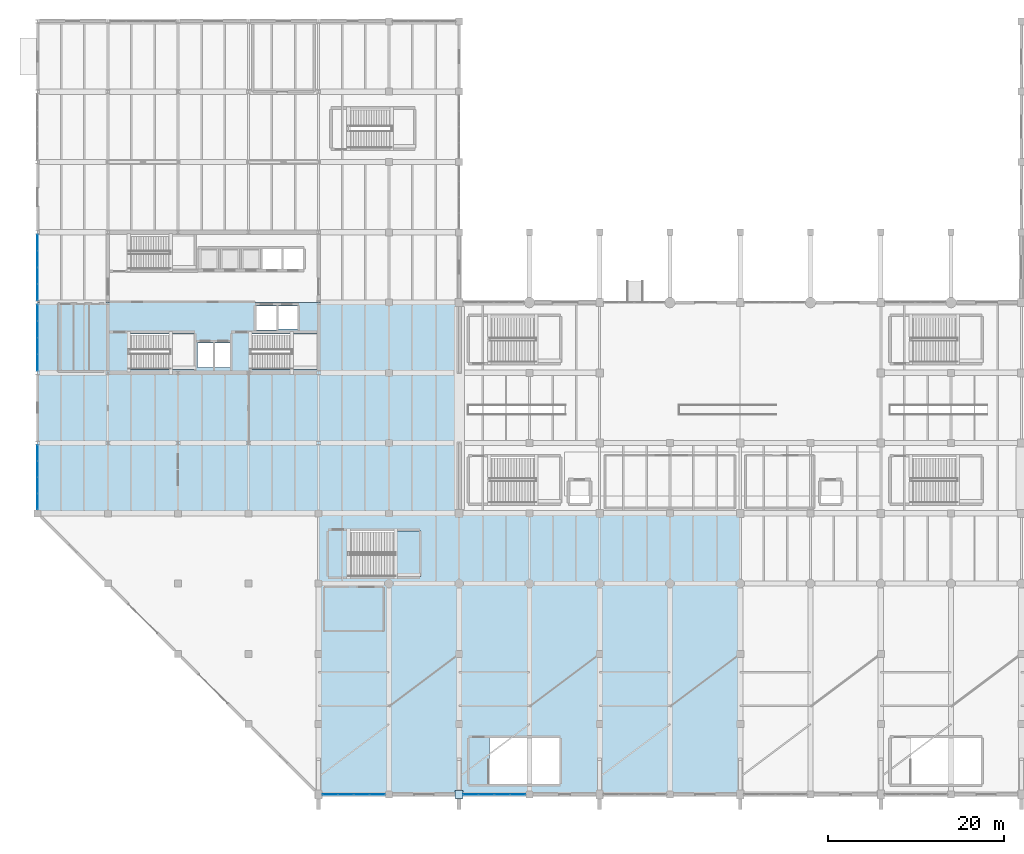
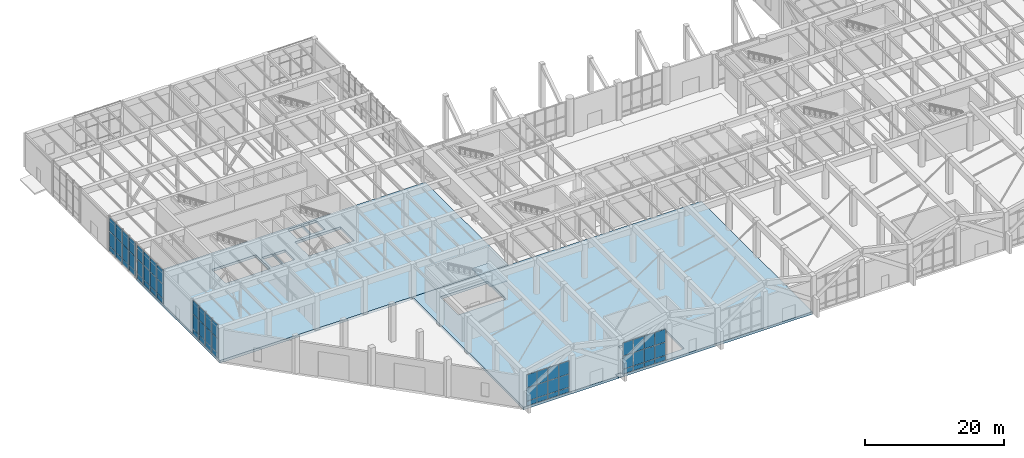
# One storey, part 26 of 51: 61 plates, 3 slabs, 6 elements without a shape of their own.
"""IFC4 building model written with IfcOpenShell, lengths in metres."""

from ifc_helpers import new_model, si_unit, direction, frame, origin, origin_2d, place, context, subcontext, project, spatial, polyline, rectangle, outline, extrude, material, layer, layer_set, type_object, element, aggregate, save


model = new_model("IFC4")

# Units and contexts
model_context = context("Model", 3, precision=1e-05, world=origin(), true_north=direction((0.0, 1.0)))
body_context = subcontext(model_context, "Body", "Model", "MODEL_VIEW")
ifc_project = project(units=[si_unit("LENGTHUNIT", "METRE"), si_unit("AREAUNIT", "SQUARE_METRE"), si_unit("VOLUMEUNIT", "CUBIC_METRE"), si_unit("PLANEANGLEUNIT", "RADIAN"), si_unit("MASSUNIT", "GRAM", prefix="KILO")], contexts=[model_context])

# Site, building, storey
site_placement = place(None, origin())
site = spatial("IfcSite", under=ifc_project, at=site_placement, CompositionType="ELEMENT")
building_placement = place(site_placement, origin())
building = spatial("IfcBuilding", under=site, at=building_placement, Name="Varnela Railside Interchange", CompositionType="ELEMENT")
storey_placement = place(building_placement, origin())
storey = spatial("IfcBuildingStorey", under=building, at=storey_placement, Name="L00", CompositionType="ELEMENT", Elevation=0.0)

# Curtain wall, plates
ifc_material_1 = material(Name="Aluminium 6063-T6", Category="aluminium")
ifc_layer_1 = layer(ifc_material_1, 0.035888671875)
ifc_layer_set_1 = layer_set([ifc_layer_1], Name="Aluminium 6063-T6")
curtain_wall_type_1 = type_object("IfcCurtainWallType", Name="Operations Wing Facade Curtain Wall CW-03", PredefinedType="USERDEFINED", material=ifc_layer_set_1)
curtain_wall_1_placement = place(storey_placement, origin())
curtain_wall_1 = element("IfcCurtainWall", 1, at=curtain_wall_1_placement, inside=storey, type_object=curtain_wall_type_1, Name="Curtain Wall CW-03 (L00) (CW-010)", ObjectType="CURTAIN WALL", PredefinedType="USERDEFINED")
ifc_material_2 = material(Name="Glass laminated double", Category="glass")
ifc_layer_2 = layer(ifc_material_2, 0.0400390625)
ifc_layer_set_2 = layer_set([ifc_layer_2], Name="Glass laminated double")
plate_type_1 = type_object("IfcPlateType", Name="Acoustic Laminated Vision GL-03", PredefinedType="CURTAIN_PANEL", material=ifc_layer_set_2)
plate_1_placement = place(storey_placement, frame((4.0, 39.340087890625, 0.06005859375), z_axis=(0.0, 0.0, 1.0), x_axis=(0.0, 1.0, 0.0)))
plate_1 = element("IfcPlate", 2, at=plate_1_placement, type_object=plate_type_1, Name="CW-03 panel 1.1", PredefinedType="CURTAIN_PANEL", context=body_context, shape_type="SweptSolid", body=[
    extrude(rectangle(XDim=1.760009765625, YDim=0.0400390625, at=origin_2d()), origin(), (0.0, 0.0, 1.0), 0.81005859375),
])
plate_2_placement = place(storey_placement, frame((4.0, 39.340087890625, 0.93017578125), z_axis=(0.0, 0.0, 1.0), x_axis=(0.0, 1.0, 0.0)))
plate_2 = element("IfcPlate", 3, at=plate_2_placement, type_object=plate_type_1, Name="CW-03 panel 1.2", PredefinedType="CURTAIN_PANEL", context=body_context, shape_type="SweptSolid", body=[
    extrude(rectangle(XDim=1.760009765625, YDim=0.0400390625, at=origin_2d()), origin(), (0.0, 0.0, 1.0), 2.531494140625),
])
plate_3_placement = place(storey_placement, frame((4.0, 39.340087890625, 3.521484375), z_axis=(0.0, 0.0, 1.0), x_axis=(0.0, 1.0, 0.0)))
plate_3 = element("IfcPlate", 4, at=plate_3_placement, type_object=plate_type_1, Name="CW-03 panel 1.3", PredefinedType="CURTAIN_PANEL", context=body_context, shape_type="SweptSolid", body=[
    extrude(rectangle(XDim=1.760009765625, YDim=0.0400390625, at=origin_2d()), origin(), (0.0, 0.0, 1.0), 2.4384765625),
])
plate_4_placement = place(storey_placement, frame((4.0, 41.17529296875, 0.06005859375), z_axis=(0.0, 0.0, 1.0), x_axis=(0.0, 1.0, 0.0)))
plate_4 = element("IfcPlate", 5, at=plate_4_placement, type_object=plate_type_1, Name="CW-03 panel 2.1", PredefinedType="CURTAIN_PANEL", context=body_context, shape_type="SweptSolid", body=[
    extrude(rectangle(XDim=1.7900390625, YDim=0.0400390625, at=origin_2d()), origin(), (0.0, 0.0, 1.0), 0.81005859375),
])
plate_5_placement = place(storey_placement, frame((4.0, 41.17529296875, 0.93017578125), z_axis=(0.0, 0.0, 1.0), x_axis=(0.0, 1.0, 0.0)))
plate_5 = element("IfcPlate", 6, at=plate_5_placement, type_object=plate_type_1, Name="CW-03 panel 2.2", PredefinedType="CURTAIN_PANEL", context=body_context, shape_type="SweptSolid", body=[
    extrude(rectangle(XDim=1.7900390625, YDim=0.0400390625, at=origin_2d()), origin(), (0.0, 0.0, 1.0), 2.531494140625),
])
plate_6_placement = place(storey_placement, frame((4.0, 41.17529296875, 3.521484375), z_axis=(0.0, 0.0, 1.0), x_axis=(0.0, 1.0, 0.0)))
plate_6 = element("IfcPlate", 7, at=plate_6_placement, type_object=plate_type_1, Name="CW-03 panel 2.3", PredefinedType="CURTAIN_PANEL", context=body_context, shape_type="SweptSolid", body=[
    extrude(rectangle(XDim=1.7900390625, YDim=0.0400390625, at=origin_2d()), origin(), (0.0, 0.0, 1.0), 2.4384765625),
])
plate_7_placement = place(storey_placement, frame((4.0, 43.025390625, 0.06005859375), z_axis=(0.0, 0.0, 1.0), x_axis=(0.0, 1.0, 0.0)))
plate_7 = element("IfcPlate", 8, at=plate_7_placement, type_object=plate_type_1, Name="CW-03 panel 3.1", PredefinedType="CURTAIN_PANEL", context=body_context, shape_type="SweptSolid", body=[
    extrude(rectangle(XDim=1.7900390625, YDim=0.0400390625, at=origin_2d()), origin(), (0.0, 0.0, 1.0), 0.81005859375),
])
plate_8_placement = place(storey_placement, frame((4.0, 43.025390625, 0.93017578125), z_axis=(0.0, 0.0, 1.0), x_axis=(0.0, 1.0, 0.0)))
plate_8 = element("IfcPlate", 9, at=plate_8_placement, type_object=plate_type_1, Name="CW-03 panel 3.2", PredefinedType="CURTAIN_PANEL", context=body_context, shape_type="SweptSolid", body=[
    extrude(rectangle(XDim=1.7900390625, YDim=0.0400390625, at=origin_2d()), origin(), (0.0, 0.0, 1.0), 2.531494140625),
])
plate_9_placement = place(storey_placement, frame((4.0, 43.025390625, 3.521484375), z_axis=(0.0, 0.0, 1.0), x_axis=(0.0, 1.0, 0.0)))
plate_9 = element("IfcPlate", 10, at=plate_9_placement, type_object=plate_type_1, Name="CW-03 panel 3.3", PredefinedType="CURTAIN_PANEL", context=body_context, shape_type="SweptSolid", body=[
    extrude(rectangle(XDim=1.7900390625, YDim=0.0400390625, at=origin_2d()), origin(), (0.0, 0.0, 1.0), 2.4384765625),
])
plate_10_placement = place(storey_placement, frame((4.0, 44.8603515625, 0.06005859375), z_axis=(0.0, 0.0, 1.0), x_axis=(0.0, 1.0, 0.0)))
plate_10 = element("IfcPlate", 11, at=plate_10_placement, type_object=plate_type_1, Name="CW-03 panel 4.1", PredefinedType="CURTAIN_PANEL", context=body_context, shape_type="SweptSolid", body=[
    extrude(rectangle(XDim=1.760009765625, YDim=0.0400390625, at=origin_2d()), origin(), (0.0, 0.0, 1.0), 0.81005859375),
])
plate_11_placement = place(storey_placement, frame((4.0, 44.8603515625, 0.93017578125), z_axis=(0.0, 0.0, 1.0), x_axis=(0.0, 1.0, 0.0)))
plate_11 = element("IfcPlate", 12, at=plate_11_placement, type_object=plate_type_1, Name="CW-03 panel 4.2", PredefinedType="CURTAIN_PANEL", context=body_context, shape_type="SweptSolid", body=[
    extrude(rectangle(XDim=1.760009765625, YDim=0.0400390625, at=origin_2d()), origin(), (0.0, 0.0, 1.0), 2.531494140625),
])
plate_12_placement = place(storey_placement, frame((4.0, 44.8603515625, 3.521484375), z_axis=(0.0, 0.0, 1.0), x_axis=(0.0, 1.0, 0.0)))
plate_12 = element("IfcPlate", 13, at=plate_12_placement, type_object=plate_type_1, Name="CW-03 panel 4.3", PredefinedType="CURTAIN_PANEL", context=body_context, shape_type="SweptSolid", body=[
    extrude(rectangle(XDim=1.760009765625, YDim=0.0400390625, at=origin_2d()), origin(), (0.0, 0.0, 1.0), 2.4384765625),
])
aggregate(curtain_wall_1, [plate_1, plate_2, plate_3, plate_4, plate_5, plate_6, plate_7, plate_8, plate_9, plate_10, plate_11, plate_12])

curtain_wall_2_placement = place(storey_placement, origin())
curtain_wall_2 = element("IfcCurtainWall", 14, at=curtain_wall_2_placement, inside=storey, type_object=curtain_wall_type_1, Name="Curtain Wall CW-03 (L00) (CW-017)", ObjectType="CURTAIN WALL", PredefinedType="USERDEFINED")
plate_13_placement = place(storey_placement, frame((4.0, 55.16455078125, 0.06005859375), z_axis=(0.0, 0.0, 1.0), x_axis=(0.0, 1.0, 0.0)))
plate_13 = element("IfcPlate", 15, at=plate_13_placement, type_object=plate_type_1, Name="CW-03 panel 1.1", PredefinedType="CURTAIN_PANEL", context=body_context, shape_type="SweptSolid", body=[
    extrude(rectangle(XDim=1.810302734375, YDim=0.0400390625, at=origin_2d()), origin(), (0.0, 0.0, 1.0), 0.81005859375),
])
plate_14_placement = place(storey_placement, frame((4.0, 55.16455078125, 0.93017578125), z_axis=(0.0, 0.0, 1.0), x_axis=(0.0, 1.0, 0.0)))
plate_14 = element("IfcPlate", 16, at=plate_14_placement, type_object=plate_type_1, Name="CW-03 panel 1.2", PredefinedType="CURTAIN_PANEL", context=body_context, shape_type="SweptSolid", body=[
    extrude(rectangle(XDim=1.810302734375, YDim=0.0400390625, at=origin_2d()), origin(), (0.0, 0.0, 1.0), 2.531494140625),
])
plate_15_placement = place(storey_placement, frame((4.0, 55.16455078125, 3.521484375), z_axis=(0.0, 0.0, 1.0), x_axis=(0.0, 1.0, 0.0)))
plate_15 = element("IfcPlate", 17, at=plate_15_placement, type_object=plate_type_1, Name="CW-03 panel 1.3", PredefinedType="CURTAIN_PANEL", context=body_context, shape_type="SweptSolid", body=[
    extrude(rectangle(XDim=1.810302734375, YDim=0.0400390625, at=origin_2d()), origin(), (0.0, 0.0, 1.0), 2.4384765625),
])
plate_16_placement = place(storey_placement, frame((4.0, 57.0498046875, 0.06005859375), z_axis=(0.0, 0.0, 1.0), x_axis=(0.0, 1.0, 0.0)))
plate_16 = element("IfcPlate", 18, at=plate_16_placement, type_object=plate_type_1, Name="CW-03 panel 2.1", PredefinedType="CURTAIN_PANEL", context=body_context, shape_type="SweptSolid", body=[
    extrude(rectangle(XDim=1.84033203125, YDim=0.0400390625, at=origin_2d()), origin(), (0.0, 0.0, 1.0), 0.81005859375),
])
plate_17_placement = place(storey_placement, frame((4.0, 57.0498046875, 0.93017578125), z_axis=(0.0, 0.0, 1.0), x_axis=(0.0, 1.0, 0.0)))
plate_17 = element("IfcPlate", 19, at=plate_17_placement, type_object=plate_type_1, Name="CW-03 panel 2.2", PredefinedType="CURTAIN_PANEL", context=body_context, shape_type="SweptSolid", body=[
    extrude(rectangle(XDim=1.84033203125, YDim=0.0400390625, at=origin_2d()), origin(), (0.0, 0.0, 1.0), 2.531494140625),
])
plate_18_placement = place(storey_placement, frame((4.0, 57.0498046875, 3.521484375), z_axis=(0.0, 0.0, 1.0), x_axis=(0.0, 1.0, 0.0)))
plate_18 = element("IfcPlate", 20, at=plate_18_placement, type_object=plate_type_1, Name="CW-03 panel 2.3", PredefinedType="CURTAIN_PANEL", context=body_context, shape_type="SweptSolid", body=[
    extrude(rectangle(XDim=1.84033203125, YDim=0.0400390625, at=origin_2d()), origin(), (0.0, 0.0, 1.0), 2.4384765625),
])
plate_19_placement = place(storey_placement, frame((4.0, 58.9501953125, 0.06005859375), z_axis=(0.0, 0.0, 1.0), x_axis=(0.0, 1.0, 0.0)))
plate_19 = element("IfcPlate", 21, at=plate_19_placement, type_object=plate_type_1, Name="CW-03 panel 3.1", PredefinedType="CURTAIN_PANEL", context=body_context, shape_type="SweptSolid", body=[
    extrude(rectangle(XDim=1.84033203125, YDim=0.0400390625, at=origin_2d()), origin(), (0.0, 0.0, 1.0), 0.81005859375),
])
plate_20_placement = place(storey_placement, frame((4.0, 58.9501953125, 0.93017578125), z_axis=(0.0, 0.0, 1.0), x_axis=(0.0, 1.0, 0.0)))
plate_20 = element("IfcPlate", 22, at=plate_20_placement, type_object=plate_type_1, Name="CW-03 panel 3.2", PredefinedType="CURTAIN_PANEL", context=body_context, shape_type="SweptSolid", body=[
    extrude(rectangle(XDim=1.84033203125, YDim=0.0400390625, at=origin_2d()), origin(), (0.0, 0.0, 1.0), 2.531494140625),
])
plate_21_placement = place(storey_placement, frame((4.0, 58.9501953125, 3.521484375), z_axis=(0.0, 0.0, 1.0), x_axis=(0.0, 1.0, 0.0)))
plate_21 = element("IfcPlate", 23, at=plate_21_placement, type_object=plate_type_1, Name="CW-03 panel 3.3", PredefinedType="CURTAIN_PANEL", context=body_context, shape_type="SweptSolid", body=[
    extrude(rectangle(XDim=1.84033203125, YDim=0.0400390625, at=origin_2d()), origin(), (0.0, 0.0, 1.0), 2.4384765625),
])
plate_22_placement = place(storey_placement, frame((4.0, 60.83544921875, 0.06005859375), z_axis=(0.0, 0.0, 1.0), x_axis=(0.0, 1.0, 0.0)))
plate_22 = element("IfcPlate", 24, at=plate_22_placement, type_object=plate_type_1, Name="CW-03 panel 4.1", PredefinedType="CURTAIN_PANEL", context=body_context, shape_type="SweptSolid", body=[
    extrude(rectangle(XDim=1.810302734375, YDim=0.0400390625, at=origin_2d()), origin(), (0.0, 0.0, 1.0), 0.81005859375),
])
plate_23_placement = place(storey_placement, frame((4.0, 60.83544921875, 0.93017578125), z_axis=(0.0, 0.0, 1.0), x_axis=(0.0, 1.0, 0.0)))
plate_23 = element("IfcPlate", 25, at=plate_23_placement, type_object=plate_type_1, Name="CW-03 panel 4.2", PredefinedType="CURTAIN_PANEL", context=body_context, shape_type="SweptSolid", body=[
    extrude(rectangle(XDim=1.810302734375, YDim=0.0400390625, at=origin_2d()), origin(), (0.0, 0.0, 1.0), 2.531494140625),
])
plate_24_placement = place(storey_placement, frame((4.0, 60.83544921875, 3.521484375), z_axis=(0.0, 0.0, 1.0), x_axis=(0.0, 1.0, 0.0)))
plate_24 = element("IfcPlate", 26, at=plate_24_placement, type_object=plate_type_1, Name="CW-03 panel 4.3", PredefinedType="CURTAIN_PANEL", context=body_context, shape_type="SweptSolid", body=[
    extrude(rectangle(XDim=1.810302734375, YDim=0.0400390625, at=origin_2d()), origin(), (0.0, 0.0, 1.0), 2.4384765625),
])
aggregate(curtain_wall_2, [plate_13, plate_14, plate_15, plate_16, plate_17, plate_18, plate_19, plate_20, plate_21, plate_22, plate_23, plate_24])

curtain_wall_3_placement = place(storey_placement, origin())
curtain_wall_3 = element("IfcCurtainWall", 27, at=curtain_wall_3_placement, inside=storey, type_object=curtain_wall_type_1, Name="Curtain Wall CW-03 (L00) (CW-018)", ObjectType="CURTAIN WALL", PredefinedType="USERDEFINED")
plate_25_placement = place(storey_placement, frame((4.0, 63.16455078125, 0.06005859375), z_axis=(0.0, 0.0, 1.0), x_axis=(0.0, 1.0, 0.0)))
plate_25 = element("IfcPlate", 28, at=plate_25_placement, type_object=plate_type_1, Name="CW-03 panel 1.1", PredefinedType="CURTAIN_PANEL", context=body_context, shape_type="SweptSolid", body=[
    extrude(rectangle(XDim=1.810302734375, YDim=0.0400390625, at=origin_2d()), origin(), (0.0, 0.0, 1.0), 0.81005859375),
])
plate_26_placement = place(storey_placement, frame((4.0, 63.16455078125, 0.93017578125), z_axis=(0.0, 0.0, 1.0), x_axis=(0.0, 1.0, 0.0)))
plate_26 = element("IfcPlate", 29, at=plate_26_placement, type_object=plate_type_1, Name="CW-03 panel 1.2", PredefinedType="CURTAIN_PANEL", context=body_context, shape_type="SweptSolid", body=[
    extrude(rectangle(XDim=1.810302734375, YDim=0.0400390625, at=origin_2d()), origin(), (0.0, 0.0, 1.0), 2.531494140625),
])
plate_27_placement = place(storey_placement, frame((4.0, 63.16455078125, 3.521484375), z_axis=(0.0, 0.0, 1.0), x_axis=(0.0, 1.0, 0.0)))
plate_27 = element("IfcPlate", 30, at=plate_27_placement, type_object=plate_type_1, Name="CW-03 panel 1.3", PredefinedType="CURTAIN_PANEL", context=body_context, shape_type="SweptSolid", body=[
    extrude(rectangle(XDim=1.810302734375, YDim=0.0400390625, at=origin_2d()), origin(), (0.0, 0.0, 1.0), 2.4384765625),
])
plate_28_placement = place(storey_placement, frame((4.0, 65.0498046875, 0.06005859375), z_axis=(0.0, 0.0, 1.0), x_axis=(0.0, 1.0, 0.0)))
plate_28 = element("IfcPlate", 31, at=plate_28_placement, type_object=plate_type_1, Name="CW-03 panel 2.1", PredefinedType="CURTAIN_PANEL", context=body_context, shape_type="SweptSolid", body=[
    extrude(rectangle(XDim=1.84033203125, YDim=0.0400390625, at=origin_2d()), origin(), (0.0, 0.0, 1.0), 0.81005859375),
])
plate_29_placement = place(storey_placement, frame((4.0, 65.0498046875, 0.93017578125), z_axis=(0.0, 0.0, 1.0), x_axis=(0.0, 1.0, 0.0)))
plate_29 = element("IfcPlate", 32, at=plate_29_placement, type_object=plate_type_1, Name="CW-03 panel 2.2", PredefinedType="CURTAIN_PANEL", context=body_context, shape_type="SweptSolid", body=[
    extrude(rectangle(XDim=1.84033203125, YDim=0.0400390625, at=origin_2d()), origin(), (0.0, 0.0, 1.0), 2.531494140625),
])
plate_30_placement = place(storey_placement, frame((4.0, 65.0498046875, 3.521484375), z_axis=(0.0, 0.0, 1.0), x_axis=(0.0, 1.0, 0.0)))
plate_30 = element("IfcPlate", 33, at=plate_30_placement, type_object=plate_type_1, Name="CW-03 panel 2.3", PredefinedType="CURTAIN_PANEL", context=body_context, shape_type="SweptSolid", body=[
    extrude(rectangle(XDim=1.84033203125, YDim=0.0400390625, at=origin_2d()), origin(), (0.0, 0.0, 1.0), 2.4384765625),
])
plate_31_placement = place(storey_placement, frame((4.0, 66.9501953125, 0.06005859375), z_axis=(0.0, 0.0, 1.0), x_axis=(0.0, 1.0, 0.0)))
plate_31 = element("IfcPlate", 34, at=plate_31_placement, type_object=plate_type_1, Name="CW-03 panel 3.1", PredefinedType="CURTAIN_PANEL", context=body_context, shape_type="SweptSolid", body=[
    extrude(rectangle(XDim=1.84033203125, YDim=0.0400390625, at=origin_2d()), origin(), (0.0, 0.0, 1.0), 0.81005859375),
])
plate_32_placement = place(storey_placement, frame((4.0, 66.9501953125, 0.93017578125), z_axis=(0.0, 0.0, 1.0), x_axis=(0.0, 1.0, 0.0)))
plate_32 = element("IfcPlate", 35, at=plate_32_placement, type_object=plate_type_1, Name="CW-03 panel 3.2", PredefinedType="CURTAIN_PANEL", context=body_context, shape_type="SweptSolid", body=[
    extrude(rectangle(XDim=1.84033203125, YDim=0.0400390625, at=origin_2d()), origin(), (0.0, 0.0, 1.0), 2.531494140625),
])
plate_33_placement = place(storey_placement, frame((4.0, 66.9501953125, 3.521484375), z_axis=(0.0, 0.0, 1.0), x_axis=(0.0, 1.0, 0.0)))
plate_33 = element("IfcPlate", 36, at=plate_33_placement, type_object=plate_type_1, Name="CW-03 panel 3.3", PredefinedType="CURTAIN_PANEL", context=body_context, shape_type="SweptSolid", body=[
    extrude(rectangle(XDim=1.84033203125, YDim=0.0400390625, at=origin_2d()), origin(), (0.0, 0.0, 1.0), 2.4384765625),
])
plate_34_placement = place(storey_placement, frame((4.0, 68.83544921875, 0.06005859375), z_axis=(0.0, 0.0, 1.0), x_axis=(0.0, 1.0, 0.0)))
plate_34 = element("IfcPlate", 37, at=plate_34_placement, type_object=plate_type_1, Name="CW-03 panel 4.1", PredefinedType="CURTAIN_PANEL", context=body_context, shape_type="SweptSolid", body=[
    extrude(rectangle(XDim=1.810302734375, YDim=0.0400390625, at=origin_2d()), origin(), (0.0, 0.0, 1.0), 0.81005859375),
])
plate_35_placement = place(storey_placement, frame((4.0, 68.83544921875, 0.93017578125), z_axis=(0.0, 0.0, 1.0), x_axis=(0.0, 1.0, 0.0)))
plate_35 = element("IfcPlate", 38, at=plate_35_placement, type_object=plate_type_1, Name="CW-03 panel 4.2", PredefinedType="CURTAIN_PANEL", context=body_context, shape_type="SweptSolid", body=[
    extrude(rectangle(XDim=1.810302734375, YDim=0.0400390625, at=origin_2d()), origin(), (0.0, 0.0, 1.0), 2.531494140625),
])
plate_36_placement = place(storey_placement, frame((4.0, 68.83544921875, 3.521484375), z_axis=(0.0, 0.0, 1.0), x_axis=(0.0, 1.0, 0.0)))
plate_36 = element("IfcPlate", 39, at=plate_36_placement, type_object=plate_type_1, Name="CW-03 panel 4.3", PredefinedType="CURTAIN_PANEL", context=body_context, shape_type="SweptSolid", body=[
    extrude(rectangle(XDim=1.810302734375, YDim=0.0400390625, at=origin_2d()), origin(), (0.0, 0.0, 1.0), 2.4384765625),
])
aggregate(curtain_wall_3, [plate_25, plate_26, plate_27, plate_28, plate_29, plate_30, plate_31, plate_32, plate_33, plate_34, plate_35, plate_36])

# Slabs
ifc_material_3 = material(Name="Concrete C40", Category="concrete")
ifc_layer_3 = layer(ifc_material_3, 0.449951171875)
ifc_layer_set_3 = layer_set([ifc_layer_3], Name="Concrete C40")
slab_type_1 = type_object("IfcSlabType", Name="Bus & Interchange Deck Slab SL-L00", PredefinedType="FLOOR", material=ifc_layer_set_3)
slab_1_placement = place(storey_placement, frame((0.0, 0.0, -0.449951171875)))
element("IfcSlab", 40, at=slab_1_placement, inside=storey, type_object=slab_type_1, Name="Bus & Interchange Deck Slab SL-L00 (L00) (SL-0059)", PredefinedType="FLOOR", context=body_context, shape_type="SweptSolid", body=[
    extrude(outline(polyline([(36.0, 6.0), (84.0, 6.0), (84.0, 38.0), (36.0, 38.0), (36.0, 6.0)]), holes=[polyline([(39.429931640625, 30.800048828125), (47.39990234375, 30.800048828125), (47.39990234375, 36.0), (39.429931640625, 36.0), (39.429931640625, 30.800048828125)]), polyline([(55.429931640625, 7.199951171875), (63.39990234375, 7.199951171875), (63.39990234375, 12.39990234375), (55.429931640625, 12.39990234375), (55.429931640625, 7.199951171875)])]), origin(), (0.0, 0.0, 1.0), 0.449951171875),
])
slab_2_placement = place(storey_placement, frame((0.0, 0.0, -0.449951171875)))
element("IfcSlab", 41, at=slab_2_placement, inside=storey, type_object=slab_type_1, Name="Bus & Interchange Deck Slab SL-L00 (L00) (SL-0062)", PredefinedType="FLOOR", context=body_context, shape_type="SweptSolid", body=[
    extrude(outline(polyline([(4.0, 38.0), (52.0, 38.0), (52.0, 62.0), (4.0, 62.0), (4.0, 38.0)]), holes=[polyline([(14.429931640625, 54.39990234375), (21.800048828125, 54.39990234375), (21.800048828125, 58.39990234375), (14.429931640625, 58.39990234375), (14.429931640625, 54.39990234375)]), polyline([(28.22998046875, 54.39990234375), (35.800048828125, 54.39990234375), (35.800048828125, 58.39990234375), (28.22998046875, 58.39990234375), (28.22998046875, 54.39990234375)]), polyline([(22.199951171875, 54.60009765625), (24.0, 54.60009765625), (24.0, 57.39990234375), (22.199951171875, 57.39990234375), (22.199951171875, 54.60009765625)]), polyline([(24.199951171875, 54.60009765625), (26.0, 54.60009765625), (26.0, 57.39990234375), (24.199951171875, 57.39990234375), (24.199951171875, 54.60009765625)]), polyline([(31.39990234375, 59.0), (33.60009765625, 59.0), (33.60009765625, 61.60009765625), (31.39990234375, 61.60009765625), (31.39990234375, 59.0)]), polyline([(28.89990234375, 58.89990234375), (31.199951171875, 58.89990234375), (31.199951171875, 61.60009765625), (28.89990234375, 61.60009765625), (28.89990234375, 58.89990234375)])]), origin(), (0.0, 0.0, 1.0), 0.449951171875),
])

# Curtain wall, plates
ifc_layer_4 = layer(ifc_material_1, 0.035888671875)
ifc_layer_set_4 = layer_set([ifc_layer_4], Name="Aluminium 6063-T6")
curtain_wall_type_2 = type_object("IfcCurtainWallType", Name="Arrival Forecourt Portal Curtain Wall CW-04", PredefinedType="USERDEFINED", material=ifc_layer_set_4)
curtain_wall_4_placement = place(storey_placement, origin())
curtain_wall_4 = element("IfcCurtainWall", 42, at=curtain_wall_4_placement, inside=storey, type_object=curtain_wall_type_2, Name="Curtain Wall CW-04 (L00) (CW-015)", ObjectType="CURTAIN WALL", PredefinedType="USERDEFINED")
ifc_layer_5 = layer(ifc_material_2, 0.070068359375)
ifc_layer_set_5 = layer_set([ifc_layer_5], Name="Glass laminated double")
plate_type_2 = type_object("IfcPlateType", Name="Solar Control Spandrel Panel GL-02", PredefinedType="CURTAIN_PANEL", material=ifc_layer_set_5)
plate_37_placement = place(storey_placement, frame((58.68115234375, 6.0, 0.074951171875), z_axis=(0.0, 0.0, 1.0), x_axis=(-1.0, 0.0, 0.0)))
plate_37 = element("IfcPlate", 43, at=plate_37_placement, type_object=plate_type_2, Name="CW-04 panel 1.1", PredefinedType="CURTAIN_PANEL", context=body_context, shape_type="SweptSolid", body=[
    extrude(rectangle(XDim=1.6875, YDim=0.070068359375, at=origin_2d()), origin(), (0.0, 0.0, 1.0), 0.78759765625),
])
plate_38_placement = place(storey_placement, frame((58.68115234375, 6.0, 0.9375), z_axis=(0.0, 0.0, 1.0), x_axis=(-1.0, 0.0, 0.0)))
plate_38 = element("IfcPlate", 44, at=plate_38_placement, type_object=plate_type_2, Name="CW-04 panel 1.2", PredefinedType="CURTAIN_PANEL", context=body_context, shape_type="SweptSolid", body=[
    extrude(rectangle(XDim=1.6875, YDim=0.070068359375, at=origin_2d()), origin(), (0.0, 0.0, 1.0), 2.27294921875),
])
plate_39_placement = place(storey_placement, frame((58.68115234375, 6.0, 3.28564453125), z_axis=(0.0, 0.0, 1.0), x_axis=(-1.0, 0.0, 0.0)))
plate_39 = element("IfcPlate", 45, at=plate_39_placement, type_object=plate_type_2, Name="CW-04 panel 1.3", PredefinedType="CURTAIN_PANEL", context=body_context, shape_type="SweptSolid", body=[
    extrude(rectangle(XDim=1.6875, YDim=0.070068359375, at=origin_2d()), origin(), (0.0, 0.0, 1.0), 2.239501953125),
])
plate_40_placement = place(storey_placement, frame((56.89990234375, 6.0, 0.074951171875), z_axis=(0.0, 0.0, 1.0), x_axis=(-1.0, 0.0, 0.0)))
plate_40 = element("IfcPlate", 46, at=plate_40_placement, type_object=plate_type_2, Name="CW-04 panel 2.1", PredefinedType="CURTAIN_PANEL", context=body_context, shape_type="SweptSolid", body=[
    extrude(rectangle(XDim=1.72509765625, YDim=0.070068359375, at=origin_2d()), origin(), (0.0, 0.0, 1.0), 0.78759765625),
])
plate_41_placement = place(storey_placement, frame((56.89990234375, 6.0, 0.9375), z_axis=(0.0, 0.0, 1.0), x_axis=(-1.0, 0.0, 0.0)))
plate_41 = element("IfcPlate", 47, at=plate_41_placement, type_object=plate_type_2, Name="CW-04 panel 2.2", PredefinedType="CURTAIN_PANEL", context=body_context, shape_type="SweptSolid", body=[
    extrude(rectangle(XDim=1.72509765625, YDim=0.070068359375, at=origin_2d()), origin(), (0.0, 0.0, 1.0), 2.27294921875),
])
plate_42_placement = place(storey_placement, frame((56.89990234375, 6.0, 3.28564453125), z_axis=(0.0, 0.0, 1.0), x_axis=(-1.0, 0.0, 0.0)))
plate_42 = element("IfcPlate", 48, at=plate_42_placement, type_object=plate_type_2, Name="CW-04 panel 2.3", PredefinedType="CURTAIN_PANEL", context=body_context, shape_type="SweptSolid", body=[
    extrude(rectangle(XDim=1.72509765625, YDim=0.070068359375, at=origin_2d()), origin(), (0.0, 0.0, 1.0), 2.239501953125),
])
plate_43_placement = place(storey_placement, frame((55.10009765625, 6.0, 0.074951171875), z_axis=(0.0, 0.0, 1.0), x_axis=(-1.0, 0.0, 0.0)))
plate_43 = element("IfcPlate", 49, at=plate_43_placement, type_object=plate_type_2, Name="CW-04 panel 3.1", PredefinedType="CURTAIN_PANEL", context=body_context, shape_type="SweptSolid", body=[
    extrude(rectangle(XDim=1.72509765625, YDim=0.070068359375, at=origin_2d()), origin(), (0.0, 0.0, 1.0), 0.78759765625),
])
plate_44_placement = place(storey_placement, frame((55.10009765625, 6.0, 0.9375), z_axis=(0.0, 0.0, 1.0), x_axis=(-1.0, 0.0, 0.0)))
plate_44 = element("IfcPlate", 50, at=plate_44_placement, type_object=plate_type_2, Name="CW-04 panel 3.2", PredefinedType="CURTAIN_PANEL", context=body_context, shape_type="SweptSolid", body=[
    extrude(rectangle(XDim=1.72509765625, YDim=0.070068359375, at=origin_2d()), origin(), (0.0, 0.0, 1.0), 2.27294921875),
])
plate_45_placement = place(storey_placement, frame((55.10009765625, 6.0, 3.28564453125), z_axis=(0.0, 0.0, 1.0), x_axis=(-1.0, 0.0, 0.0)))
plate_45 = element("IfcPlate", 51, at=plate_45_placement, type_object=plate_type_2, Name="CW-04 panel 3.3", PredefinedType="CURTAIN_PANEL", context=body_context, shape_type="SweptSolid", body=[
    extrude(rectangle(XDim=1.72509765625, YDim=0.070068359375, at=origin_2d()), origin(), (0.0, 0.0, 1.0), 2.239501953125),
])
plate_46_placement = place(storey_placement, frame((53.31884765625, 6.0, 0.074951171875), z_axis=(0.0, 0.0, 1.0), x_axis=(-1.0, 0.0, 0.0)))
plate_46 = element("IfcPlate", 52, at=plate_46_placement, type_object=plate_type_2, Name="CW-04 panel 4.1", PredefinedType="CURTAIN_PANEL", context=body_context, shape_type="SweptSolid", body=[
    extrude(rectangle(XDim=1.6875, YDim=0.070068359375, at=origin_2d()), origin(), (0.0, 0.0, 1.0), 0.78759765625),
])
plate_47_placement = place(storey_placement, frame((53.31884765625, 6.0, 0.9375), z_axis=(0.0, 0.0, 1.0), x_axis=(-1.0, 0.0, 0.0)))
plate_47 = element("IfcPlate", 53, at=plate_47_placement, type_object=plate_type_2, Name="CW-04 panel 4.2", PredefinedType="CURTAIN_PANEL", context=body_context, shape_type="SweptSolid", body=[
    extrude(rectangle(XDim=1.6875, YDim=0.070068359375, at=origin_2d()), origin(), (0.0, 0.0, 1.0), 2.27294921875),
])
plate_48_placement = place(storey_placement, frame((53.31884765625, 6.0, 3.28564453125), z_axis=(0.0, 0.0, 1.0), x_axis=(-1.0, 0.0, 0.0)))
plate_48 = element("IfcPlate", 54, at=plate_48_placement, type_object=plate_type_2, Name="CW-04 panel 4.3", PredefinedType="CURTAIN_PANEL", context=body_context, shape_type="SweptSolid", body=[
    extrude(rectangle(XDim=1.6875, YDim=0.070068359375, at=origin_2d()), origin(), (0.0, 0.0, 1.0), 2.239501953125),
])
aggregate(curtain_wall_4, [plate_37, plate_38, plate_39, plate_40, plate_41, plate_42, plate_43, plate_44, plate_45, plate_46, plate_47, plate_48])

curtain_wall_5_placement = place(storey_placement, origin())
curtain_wall_5 = element("IfcCurtainWall", 55, at=curtain_wall_5_placement, inside=storey, type_object=curtain_wall_type_2, Name="Curtain Wall CW-04 (L00) (CW-016)", ObjectType="CURTAIN WALL", PredefinedType="USERDEFINED")
plate_49_placement = place(storey_placement, frame((42.68115234375, 6.0, 0.074951171875), z_axis=(0.0, 0.0, 1.0), x_axis=(-1.0, 0.0, 0.0)))
plate_49 = element("IfcPlate", 56, at=plate_49_placement, type_object=plate_type_2, Name="CW-04 panel 1.1", PredefinedType="CURTAIN_PANEL", context=body_context, shape_type="SweptSolid", body=[
    extrude(rectangle(XDim=1.6875, YDim=0.070068359375, at=origin_2d()), origin(), (0.0, 0.0, 1.0), 0.78759765625),
])
plate_50_placement = place(storey_placement, frame((42.68115234375, 6.0, 0.9375), z_axis=(0.0, 0.0, 1.0), x_axis=(-1.0, 0.0, 0.0)))
plate_50 = element("IfcPlate", 57, at=plate_50_placement, type_object=plate_type_2, Name="CW-04 panel 1.2", PredefinedType="CURTAIN_PANEL", context=body_context, shape_type="SweptSolid", body=[
    extrude(rectangle(XDim=1.6875, YDim=0.070068359375, at=origin_2d()), origin(), (0.0, 0.0, 1.0), 2.27294921875),
])
plate_51_placement = place(storey_placement, frame((42.68115234375, 6.0, 3.28564453125), z_axis=(0.0, 0.0, 1.0), x_axis=(-1.0, 0.0, 0.0)))
plate_51 = element("IfcPlate", 58, at=plate_51_placement, type_object=plate_type_2, Name="CW-04 panel 1.3", PredefinedType="CURTAIN_PANEL", context=body_context, shape_type="SweptSolid", body=[
    extrude(rectangle(XDim=1.6875, YDim=0.070068359375, at=origin_2d()), origin(), (0.0, 0.0, 1.0), 2.239501953125),
])
plate_52_placement = place(storey_placement, frame((40.89990234375, 6.0, 0.074951171875), z_axis=(0.0, 0.0, 1.0), x_axis=(-1.0, 0.0, 0.0)))
plate_52 = element("IfcPlate", 59, at=plate_52_placement, type_object=plate_type_2, Name="CW-04 panel 2.1", PredefinedType="CURTAIN_PANEL", context=body_context, shape_type="SweptSolid", body=[
    extrude(rectangle(XDim=1.72509765625, YDim=0.070068359375, at=origin_2d()), origin(), (0.0, 0.0, 1.0), 0.78759765625),
])
plate_53_placement = place(storey_placement, frame((40.89990234375, 6.0, 0.9375), z_axis=(0.0, 0.0, 1.0), x_axis=(-1.0, 0.0, 0.0)))
plate_53 = element("IfcPlate", 60, at=plate_53_placement, type_object=plate_type_2, Name="CW-04 panel 2.2", PredefinedType="CURTAIN_PANEL", context=body_context, shape_type="SweptSolid", body=[
    extrude(rectangle(XDim=1.72509765625, YDim=0.070068359375, at=origin_2d()), origin(), (0.0, 0.0, 1.0), 2.27294921875),
])
plate_54_placement = place(storey_placement, frame((40.89990234375, 6.0, 3.28564453125), z_axis=(0.0, 0.0, 1.0), x_axis=(-1.0, 0.0, 0.0)))
plate_54 = element("IfcPlate", 61, at=plate_54_placement, type_object=plate_type_2, Name="CW-04 panel 2.3", PredefinedType="CURTAIN_PANEL", context=body_context, shape_type="SweptSolid", body=[
    extrude(rectangle(XDim=1.72509765625, YDim=0.070068359375, at=origin_2d()), origin(), (0.0, 0.0, 1.0), 2.239501953125),
])
plate_55_placement = place(storey_placement, frame((39.10009765625, 6.0, 0.074951171875), z_axis=(0.0, 0.0, 1.0), x_axis=(-1.0, 0.0, 0.0)))
plate_55 = element("IfcPlate", 62, at=plate_55_placement, type_object=plate_type_2, Name="CW-04 panel 3.1", PredefinedType="CURTAIN_PANEL", context=body_context, shape_type="SweptSolid", body=[
    extrude(rectangle(XDim=1.72509765625, YDim=0.070068359375, at=origin_2d()), origin(), (0.0, 0.0, 1.0), 0.78759765625),
])
plate_56_placement = place(storey_placement, frame((39.10009765625, 6.0, 0.9375), z_axis=(0.0, 0.0, 1.0), x_axis=(-1.0, 0.0, 0.0)))
plate_56 = element("IfcPlate", 63, at=plate_56_placement, type_object=plate_type_2, Name="CW-04 panel 3.2", PredefinedType="CURTAIN_PANEL", context=body_context, shape_type="SweptSolid", body=[
    extrude(rectangle(XDim=1.72509765625, YDim=0.070068359375, at=origin_2d()), origin(), (0.0, 0.0, 1.0), 2.27294921875),
])
plate_57_placement = place(storey_placement, frame((39.10009765625, 6.0, 3.28564453125), z_axis=(0.0, 0.0, 1.0), x_axis=(-1.0, 0.0, 0.0)))
plate_57 = element("IfcPlate", 64, at=plate_57_placement, type_object=plate_type_2, Name="CW-04 panel 3.3", PredefinedType="CURTAIN_PANEL", context=body_context, shape_type="SweptSolid", body=[
    extrude(rectangle(XDim=1.72509765625, YDim=0.070068359375, at=origin_2d()), origin(), (0.0, 0.0, 1.0), 2.239501953125),
])
plate_58_placement = place(storey_placement, frame((37.31884765625, 6.0, 0.074951171875), z_axis=(0.0, 0.0, 1.0), x_axis=(-1.0, 0.0, 0.0)))
plate_58 = element("IfcPlate", 65, at=plate_58_placement, type_object=plate_type_2, Name="CW-04 panel 4.1", PredefinedType="CURTAIN_PANEL", context=body_context, shape_type="SweptSolid", body=[
    extrude(rectangle(XDim=1.6875, YDim=0.070068359375, at=origin_2d()), origin(), (0.0, 0.0, 1.0), 0.78759765625),
])
plate_59_placement = place(storey_placement, frame((37.31884765625, 6.0, 0.9375), z_axis=(0.0, 0.0, 1.0), x_axis=(-1.0, 0.0, 0.0)))
plate_59 = element("IfcPlate", 66, at=plate_59_placement, type_object=plate_type_2, Name="CW-04 panel 4.2", PredefinedType="CURTAIN_PANEL", context=body_context, shape_type="SweptSolid", body=[
    extrude(rectangle(XDim=1.6875, YDim=0.070068359375, at=origin_2d()), origin(), (0.0, 0.0, 1.0), 2.27294921875),
])
plate_60_placement = place(storey_placement, frame((37.31884765625, 6.0, 3.28564453125), z_axis=(0.0, 0.0, 1.0), x_axis=(-1.0, 0.0, 0.0)))
plate_60 = element("IfcPlate", 67, at=plate_60_placement, type_object=plate_type_2, Name="CW-04 panel 4.3", PredefinedType="CURTAIN_PANEL", context=body_context, shape_type="SweptSolid", body=[
    extrude(rectangle(XDim=1.6875, YDim=0.070068359375, at=origin_2d()), origin(), (0.0, 0.0, 1.0), 2.239501953125),
])
aggregate(curtain_wall_5, [plate_49, plate_50, plate_51, plate_52, plate_53, plate_54, plate_55, plate_56, plate_57, plate_58, plate_59, plate_60])

# Stair, slab
stair_type = type_object("IfcStairType", Name="Concourse Public Stair ST-235", PredefinedType="TWO_STRAIGHT_RUN_STAIR", material=ifc_material_3)
stair_placement = place(storey_placement, origin())
stair = element("IfcStair", 68, at=stair_placement, inside=storey, type_object=stair_type, Name="Stair ST-M1 (L00) (SF-106)", PredefinedType="TWO_STRAIGHT_RUN_STAIR")
ifc_layer_6 = layer(ifc_material_3, 0.159912109375)
ifc_layer_set_6 = layer_set([ifc_layer_6], Name="Concrete C40")
slab_type_2 = type_object("IfcSlabType", Name="Stair Half-Landing Slab SL-LD", PredefinedType="LANDING", material=ifc_layer_set_6)
slab_3_placement = place(storey_placement, frame((0.0, 0.0, 2.989990234375)))
slab_3 = element("IfcSlab", 69, at=slab_3_placement, type_object=slab_type_2, Name="ST-M1 landing 1 (SL-0071)", PredefinedType="LANDING", context=body_context, shape_type="SweptSolid", body=[
    extrude(outline(polyline([(44.72509765625, 30.800048828125), (47.659912109375, 30.800048828125), (47.659912109375, 36.0), (44.72509765625, 36.0), (44.72509765625, 30.800048828125)])), origin(), (0.0, 0.0, 1.0), 0.159912109375),
])
aggregate(stair, [slab_3])

# Plate
ifc_material_4 = material(Name="Steel AR 350 (350 MPa)", Category="steel")
ifc_layer_7 = layer(ifc_material_4, 0.050048828125)
ifc_layer_set_7 = layer_set([ifc_layer_7], Name="Steel AR 350 (350 MPa)")
plate_type_3 = type_object("IfcPlateType", Name="V-Pier Base Bearing Plate BP-01", PredefinedType="SHEET", material=ifc_layer_set_7)
plate_61_placement = place(storey_placement, frame((52.0, 6.0, 0.0), z_axis=(0.0, 0.0, 1.0), x_axis=(1.0, 0.0, 0.0)))
element("IfcPlate", 70, at=plate_61_placement, inside=storey, type_object=plate_type_3, Name="V-Pier Base Bearing Plate BP-01 (L00) (PL-007)", PredefinedType="SHEET", context=body_context, shape_type="SweptSolid", body=[
    extrude(rectangle(XDim=0.89990234375, YDim=0.89990234375, at=origin_2d()), origin(), (0.0, 0.0, 1.0), 0.050048828125),
])

save(model, "model.ifc")
